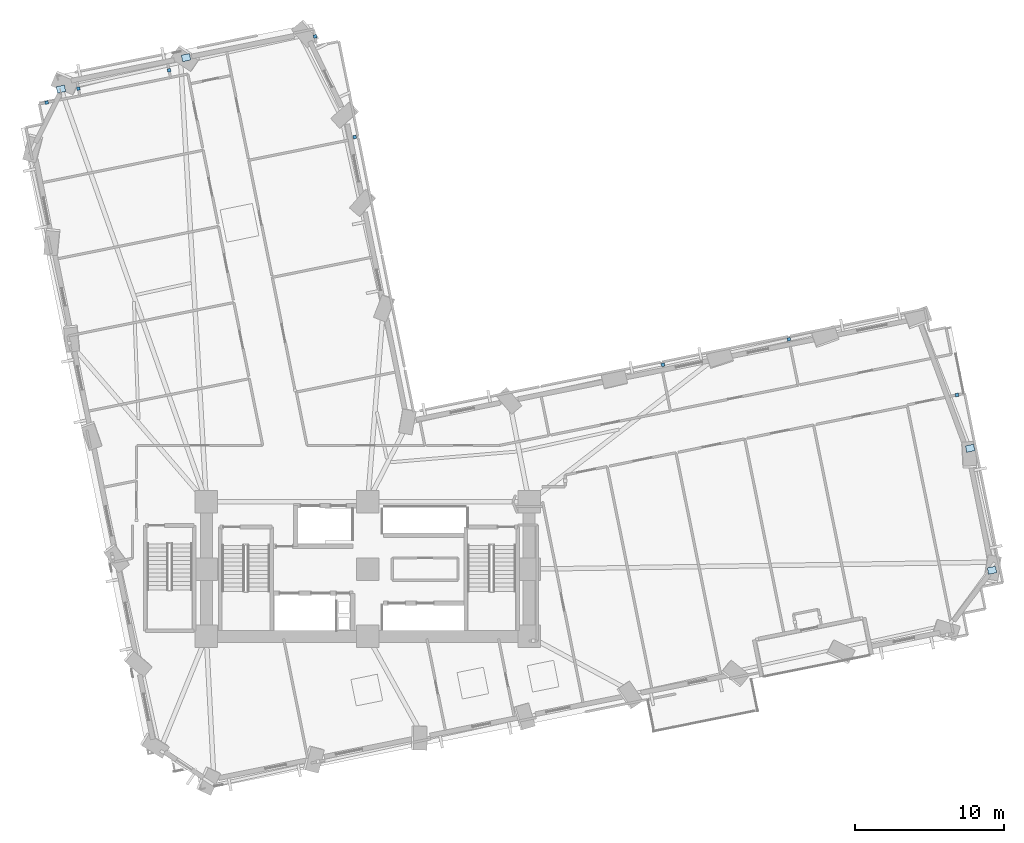
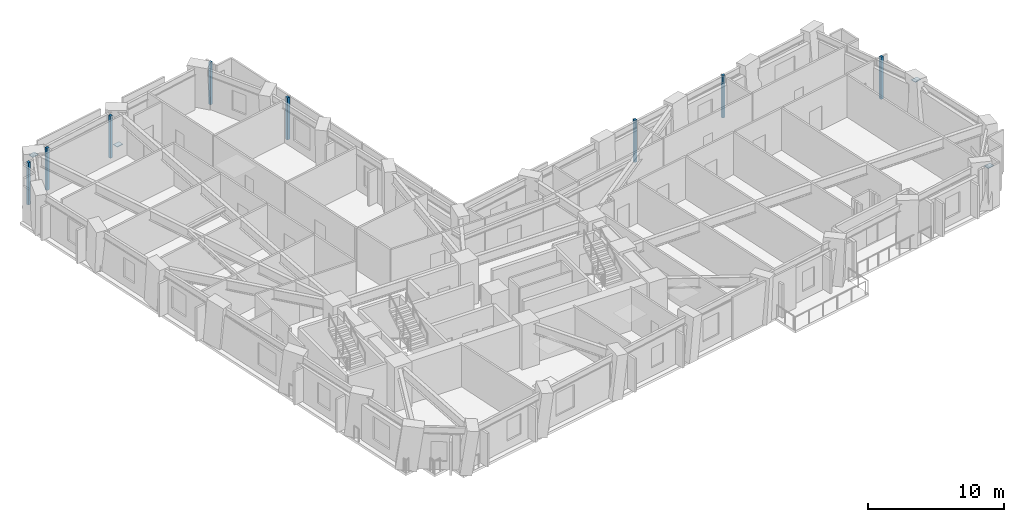
# One storey, part 6 of 16: 12 plates.
"""IFC4 building model written with IfcOpenShell, lengths in metres."""

from ifc_helpers import new_model, si_unit, direction, frame, origin, origin_2d, place, context, subcontext, project, spatial, rectangle, extrude, material, layer, layer_set, type_object, element, save


model = new_model("IFC4")

# Units and contexts
model_context = context("Model", 3, precision=1e-05, world=origin(), true_north=direction((0.0, 1.0)))
body_context = subcontext(model_context, "Body", "Model", "MODEL_VIEW")
ifc_project = project(units=[si_unit("LENGTHUNIT", "METRE"), si_unit("AREAUNIT", "SQUARE_METRE"), si_unit("VOLUMEUNIT", "CUBIC_METRE"), si_unit("PLANEANGLEUNIT", "RADIAN"), si_unit("MASSUNIT", "GRAM", prefix="KILO")], contexts=[model_context])

# Site, building, storey
site_placement = place(None, origin())
site = spatial("IfcSite", under=ifc_project, at=site_placement, CompositionType="ELEMENT")
building_placement = place(site_placement, origin())
building = spatial("IfcBuilding", under=site, at=building_placement, Name="Gaonmaruhae Medical Tower", CompositionType="ELEMENT")
storey_placement = place(building_placement, frame((0.0, 0.0, 71.0)))
storey = spatial("IfcBuildingStorey", under=building, at=storey_placement, Name="L16", CompositionType="ELEMENT", Elevation=71.0)

# Plates
ifc_material_1 = material(Name="Steel HSA650 (650 MPa)", Category="steel")
ifc_layer_1 = layer(ifc_material_1, 0.028076171875)
ifc_layer_set_1 = layer_set([ifc_layer_1], Name="Steel HSA650 (650 MPa)")
plate_type_1 = type_object("IfcPlateType", Name="GP-02 Tube Brace End Cap Gusset Plate", PredefinedType="USERDEFINED", material=ifc_layer_set_1)
for number, where, z_axis, x_axis, name in (
    (1, (66.5869140625, 12.221923828125, 0.23583984375), (0.0, 0.0, 1.0), (0.980271174622, 0.197657340379, 0.0), "L16 Gusset Cap Plate PLT-L16-PBR-E01A"),
    (2, (65.12255859375, 20.39013671875, 3.51611328125), (0.0, 0.0, 1.0), (0.976859298345, 0.213882938162, 0.0), "L16 Gusset Cap Plate PLT-L16-PBR-E01B"),
    (3, (12.64013671875, 46.535888671875, 0.23583984375), (0.0, 0.0, 1.0), (0.980271174622, 0.197657340379, 0.0), "L16 Gusset Cap Plate PLT-L16-PBR-N02A"),
    (4, (4.2724609375, 44.431640625, 3.51611328125), (0.0, 0.0, 1.0), (0.976859298345, 0.213882938162, 0.0), "L16 Gusset Cap Plate PLT-L16-PBR-N02B"),
):
    element("IfcPlate", number, at=place(storey_placement, frame(where, z_axis=z_axis, x_axis=x_axis)), inside=storey, type_object=plate_type_1, Name=name, ObjectType="GUSSET_PLATE", PredefinedType="USERDEFINED", context=body_context, shape_type="SweptSolid", body=[
        extrude(rectangle(XDim=0.56005859375, YDim=0.43994140625, at=origin_2d()), origin(), (0.0, 0.0, 1.0), 0.028076171875),
    ])
ifc_material_2 = material(Name="Anodised aluminium 6063-T6", Category="aluminium")
ifc_layer_2 = layer(ifc_material_2, 0.011962890625)
ifc_layer_set_2 = layer_set([ifc_layer_2], Name="Anodised aluminium 6063-T6")
plate_type_2 = type_object("IfcPlateType", Name="PP-01 Interior Partition Corner Stiffener Plate", PredefinedType="SHEET", material=ifc_layer_set_2)
for number, where, z_axis, x_axis, name in (
    (5, (3.31103515625, 43.532958984375, 0.0), (0.0, 0.0, 1.0), (0.980278073567, 0.19762312234, 0.0), "L16 Partition Corner Stiffener Plate PLT-L16-JGP-PW057"),
    (6, (44.55908203125, 25.98193359375, 0.0), (0.0, 0.0, 1.0), (-0.197965291892, 0.980209030363, 0.0), "L16 Partition Corner Stiffener Plate PLT-L16-JGP-PW076"),
    (7, (52.989013671875, 27.681396484375, 0.0), (0.0, 0.0, 1.0), (0.197503357305, -0.98030221047, 0.0), "L16 Partition Corner Stiffener Plate PLT-L16-JGP-PW078"),
    (8, (23.931884765625, 41.218017578125, 0.0), (0.0, 0.0, 1.0), (-0.980371092423, -0.197161155255, 0.0), "L16 Partition Corner Stiffener Plate PLT-L16-JGP-PW093"),
    (9, (21.280029296875, 47.95458984375, 0.0), (0.0, 0.0, 1.0), (0.196750481087, -0.980453593084, 0.0), "L16 Partition Corner Stiffener Plate PLT-L16-JGP-PW096"),
    (10, (11.505615234375, 45.6875, 0.0), (0.0, 0.0, 1.0), (0.197742884424, -0.980253922032, 0.0), "L16 Partition Corner Stiffener Plate PLT-L16-JGP-PW099"),
    (11, (5.4375, 44.464111328125, 0.0), (0.0, 0.0, 1.0), (-0.197948183987, 0.98021248536, 0.0), "L16 Partition Corner Stiffener Plate PLT-L16-JGP-PW100"),
    (12, (64.241455078125, 23.96044921875, 0.0), (0.0, 0.0, 1.0), (0.980288419746, 0.197571794829, 0.0), "L16 Partition Corner Stiffener Plate PLT-L16-JGP-PW109"),
):
    element("IfcPlate", number, at=place(storey_placement, frame(where, z_axis=z_axis, x_axis=x_axis)), inside=storey, type_object=plate_type_2, Name=name, PredefinedType="SHEET", context=body_context, shape_type="SweptSolid", body=[
        extrude(rectangle(XDim=0.219970703125, YDim=0.219970703125, at=origin_2d()), origin(), (0.0, 0.0, 1.0), 3.780029296875),
    ])

save(model, "model.ifc")
